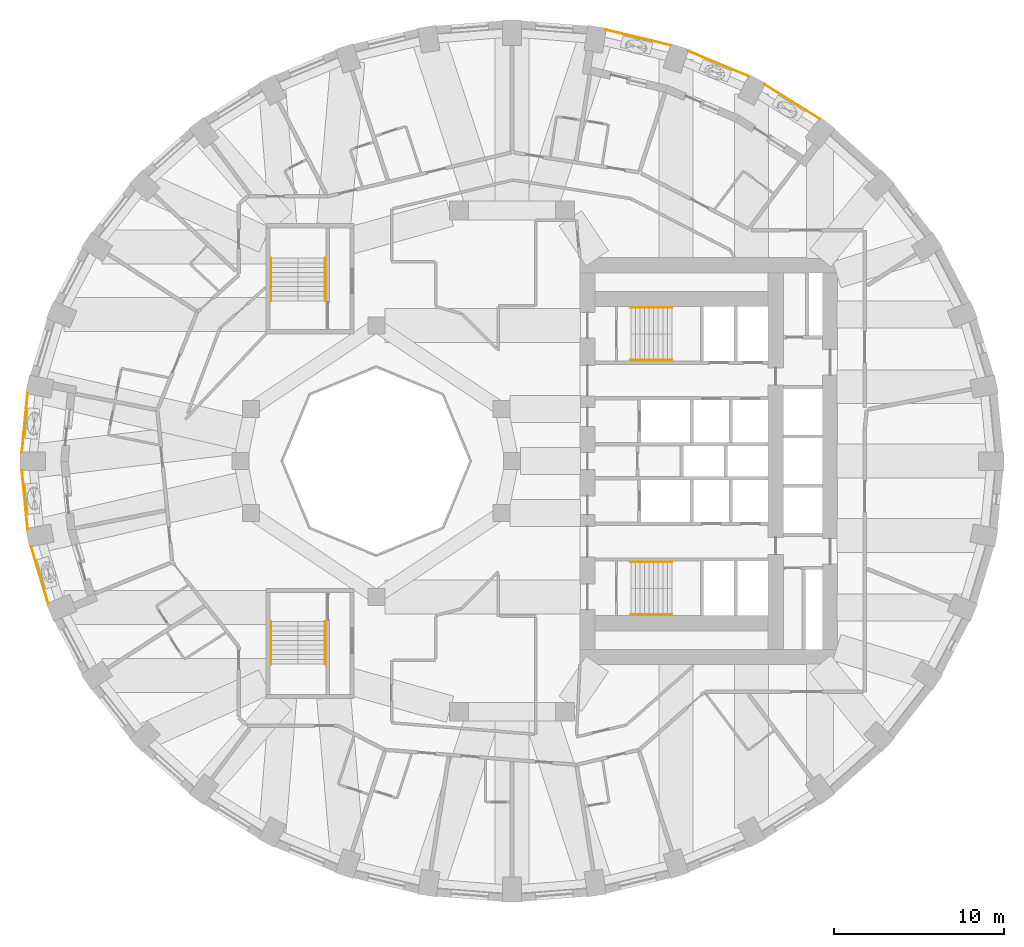
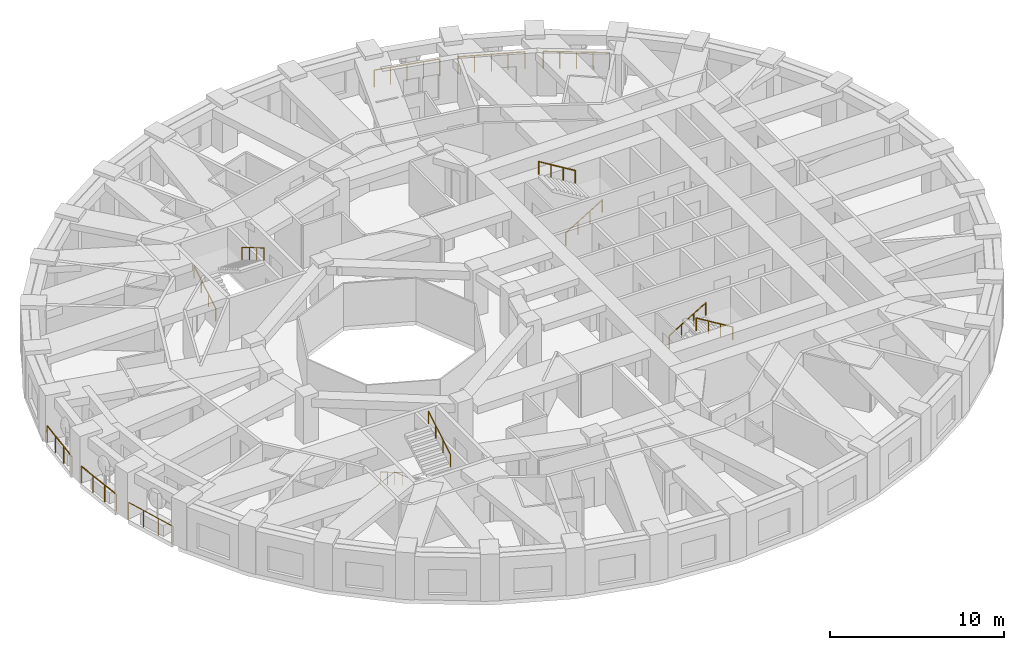
# One storey, part 11 of 13: 14 railings.
"""IFC4 building model written with IfcOpenShell, lengths in metres."""

from ifc_helpers import new_model, si_unit, direction, frame, origin, origin_2d, place, context, subcontext, project, spatial, circle, extrude, material, type_object, element, save


model = new_model("IFC4")

# Units and contexts
model_context = context("Model", 3, precision=1e-05, world=origin(), true_north=direction((0.0, 1.0)))
body_context = subcontext(model_context, "Body", "Model", "MODEL_VIEW")
ifc_project = project(units=[si_unit("LENGTHUNIT", "METRE"), si_unit("AREAUNIT", "SQUARE_METRE"), si_unit("VOLUMEUNIT", "CUBIC_METRE"), si_unit("PLANEANGLEUNIT", "RADIAN"), si_unit("MASSUNIT", "GRAM", prefix="KILO")], contexts=[model_context])

# Site, building, storey
site_placement = place(None, origin())
site = spatial("IfcSite", under=ifc_project, at=site_placement, CompositionType="ELEMENT")
building_placement = place(site_placement, origin())
building = spatial("IfcBuilding", under=site, at=building_placement, Name="Taillehof Tower", CompositionType="ELEMENT")
storey_placement = place(building_placement, frame((0.0, 0.0, 64.60009765625)))
storey = spatial("IfcBuildingStorey", under=building, at=storey_placement, Name="L17", CompositionType="ELEMENT", Elevation=64.60009765625)

# Railings
ifc_material_1 = material(Name="Stainless steel balustrade", Category="steel")
railing_type_1 = type_object("IfcRailingType", Name="Balcony guard 1200", PredefinedType="GUARDRAIL", material=ifc_material_1)
railing_1_placement = place(storey_placement, frame((-28.549560546875, 3.987548828125, 0.0)))
element("IfcRailing", 1, at=railing_1_placement, inside=storey, type_object=railing_type_1, Name="Balcony guard L17 bay 18", PredefinedType="GUARDRAIL", context=body_context, shape_type="SweptSolid", body=[
    extrude(circle(Radius=0.02392578125, at=origin_2d()), frame((0.0, 0.0, 1.17578125), z_axis=(-0.097402182783, -0.995245102871, 0.0), x_axis=(0.995245102871, -0.097402182783, 0.0)), (0.0, 0.0, 1.0), 3.47412109375),
    extrude(circle(Radius=0.02099609375, at=origin_2d()), origin(), (0.0, 0.0, 1.0), 1.15185546875),
    extrude(circle(Radius=0.02099609375, at=origin_2d()), frame((-0.11279296875, -1.152587890625, 0.0)), (0.0, 0.0, 1.0), 1.15185546875),
    extrude(circle(Radius=0.02099609375, at=origin_2d()), frame((-0.2255859375, -2.304931640625, 0.0)), (0.0, 0.0, 1.0), 1.15185546875),
    extrude(circle(Radius=0.02099609375, at=origin_2d()), frame((-0.33837890625, -3.45751953125, 0.0)), (0.0, 0.0, 1.0), 1.15185546875),
])
railing_2_placement = place(storey_placement, frame((-28.887939453125, -0.530029296875, 0.0)))
element("IfcRailing", 2, at=railing_2_placement, inside=storey, type_object=railing_type_1, Name="Balcony guard L17 bay 19", PredefinedType="GUARDRAIL", context=body_context, shape_type="SweptSolid", body=[
    extrude(circle(Radius=0.02392578125, at=origin_2d()), frame((0.0, 0.0, 1.17578125), z_axis=(0.097402182783, -0.995245102871, 0.0), x_axis=(0.995245102871, 0.097402182783, 0.0)), (0.0, 0.0, 1.0), 3.47412109375),
    extrude(circle(Radius=0.02099609375, at=origin_2d()), origin(), (0.0, 0.0, 1.0), 1.15185546875),
    extrude(circle(Radius=0.02099609375, at=origin_2d()), frame((0.11279296875, -1.152587890625, 0.0)), (0.0, 0.0, 1.0), 1.15185546875),
    extrude(circle(Radius=0.02099609375, at=origin_2d()), frame((0.2255859375, -2.304931640625, 0.0)), (0.0, 0.0, 1.0), 1.15185546875),
    extrude(circle(Radius=0.02099609375, at=origin_2d()), frame((0.33837890625, -3.45751953125, 0.0)), (0.0, 0.0, 1.0), 1.15185546875),
])
railing_3_placement = place(storey_placement, frame((-28.3447265625, -5.02783203125, 0.0)))
element("IfcRailing", 3, at=railing_3_placement, inside=storey, type_object=railing_type_1, Name="Balcony guard L17 bay 20", PredefinedType="GUARDRAIL", context=body_context, shape_type="SweptSolid", body=[
    extrude(circle(Radius=0.02392578125, at=origin_2d()), frame((0.0, 0.0, 1.17578125), z_axis=(0.287098668231, -0.957901015085, 0.0), x_axis=(0.957901015085, 0.287098668231, 0.0)), (0.0, 0.0, 1.0), 3.505126953125),
    extrude(circle(Radius=0.02099609375, at=origin_2d()), origin(), (0.0, 0.0, 1.0), 1.15185546875),
    extrude(circle(Radius=0.02099609375, at=origin_2d()), frame((0.33544921875, -1.119140625, 0.0)), (0.0, 0.0, 1.0), 1.15185546875),
    extrude(circle(Radius=0.02099609375, at=origin_2d()), frame((0.6708984375, -2.238525390625, 0.0)), (0.0, 0.0, 1.0), 1.15185546875),
    extrude(circle(Radius=0.02099609375, at=origin_2d()), frame((1.00634765625, -3.357666015625, 0.0)), (0.0, 0.0, 1.0), 1.15185546875),
])
railing_4_placement = place(storey_placement, frame((18.12255859375, 20.176025390625, 0.0)))
element("IfcRailing", 4, at=railing_4_placement, inside=storey, type_object=railing_type_1, Name="Balcony guard L17 bay 6", PredefinedType="GUARDRAIL", context=body_context, shape_type="SweptSolid", body=[
    extrude(circle(Radius=0.02392578125, at=origin_2d()), frame((0.0, 0.0, 1.17578125), z_axis=(-0.847656150947, 0.530545992127, 0.0), x_axis=(-0.530545992127, -0.847656150947, 0.0)), (0.0, 0.0, 1.0), 3.810302734375),
    extrude(circle(Radius=0.02099609375, at=origin_2d()), origin(), (0.0, 0.0, 1.0), 1.15185546875),
    extrude(circle(Radius=0.02099609375, at=origin_2d()), frame((-0.807373046875, 0.50537109375, 0.0)), (0.0, 0.0, 1.0), 1.15185546875),
    extrude(circle(Radius=0.02099609375, at=origin_2d()), frame((-1.61474609375, 1.0107421875, 0.0)), (0.0, 0.0, 1.0), 1.15185546875),
    extrude(circle(Radius=0.02099609375, at=origin_2d()), frame((-2.42236328125, 1.51611328125, 0.0)), (0.0, 0.0, 1.0), 1.15185546875),
    extrude(circle(Radius=0.02099609375, at=origin_2d()), frame((-3.229736328125, 2.021484375, 0.0)), (0.0, 0.0, 1.0), 1.15185546875),
])
railing_5_placement = place(storey_placement, frame((13.951171875, 22.684326171875, 0.0)))
element("IfcRailing", 5, at=railing_5_placement, inside=storey, type_object=railing_type_1, Name="Balcony guard L17 bay 7", PredefinedType="GUARDRAIL", context=body_context, shape_type="SweptSolid", body=[
    extrude(circle(Radius=0.02392578125, at=origin_2d()), frame((0.0, 0.0, 1.17578125), z_axis=(-0.923011806559, 0.384771627011, 0.0), x_axis=(-0.384771627011, -0.923011806559, 0.0)), (0.0, 0.0, 1.0), 3.88330078125),
    extrude(circle(Radius=0.02099609375, at=origin_2d()), origin(), (0.0, 0.0, 1.0), 1.15185546875),
    extrude(circle(Radius=0.02099609375, at=origin_2d()), frame((-0.89599609375, 0.37353515625, 0.0)), (0.0, 0.0, 1.0), 1.15185546875),
    extrude(circle(Radius=0.02099609375, at=origin_2d()), frame((-1.7919921875, 0.7470703125, 0.0)), (0.0, 0.0, 1.0), 1.15185546875),
    extrude(circle(Radius=0.02099609375, at=origin_2d()), frame((-2.688232421875, 1.12060546875, 0.0)), (0.0, 0.0, 1.0), 1.15185546875),
    extrude(circle(Radius=0.02099609375, at=origin_2d()), frame((-3.584228515625, 1.494140625, 0.0)), (0.0, 0.0, 1.0), 1.15185546875),
])
railing_6_placement = place(storey_placement, frame((9.35888671875, 24.5068359375, 0.0)))
element("IfcRailing", 6, at=railing_6_placement, inside=storey, type_object=railing_type_1, Name="Balcony guard L17 bay 8", PredefinedType="GUARDRAIL", context=body_context, shape_type="SweptSolid", body=[
    extrude(circle(Radius=0.02392578125, at=origin_2d()), frame((0.0, 0.0, 1.17578125), z_axis=(-0.972495275648, 0.232922602687, 0.0), x_axis=(-0.232922602687, -0.972495275648, 0.0)), (0.0, 0.0, 1.0), 3.93701171875),
    extrude(circle(Radius=0.02099609375, at=origin_2d()), origin(), (0.0, 0.0, 1.0), 1.15185546875),
    extrude(circle(Radius=0.02099609375, at=origin_2d()), frame((-0.95703125, 0.229248046875, 0.0)), (0.0, 0.0, 1.0), 1.15185546875),
    extrude(circle(Radius=0.02099609375, at=origin_2d()), frame((-1.914306640625, 0.45849609375, 0.0)), (0.0, 0.0, 1.0), 1.15185546875),
    extrude(circle(Radius=0.02099609375, at=origin_2d()), frame((-2.87158203125, 0.687744140625, 0.0)), (0.0, 0.0, 1.0), 1.15185546875),
    extrude(circle(Radius=0.02099609375, at=origin_2d()), frame((-3.82861328125, 0.9169921875, 0.0)), (0.0, 0.0, 1.0), 1.15185546875),
])
ifc_material_2 = material(Name="Stainless steel", Category="steel")
railing_type_2 = type_object("IfcRailingType", Name="Stair handrail 900", PredefinedType="HANDRAIL", material=ifc_material_2)
railing_7_placement = place(storey_placement, frame((7.0, 5.949951171875, 0.164794921875)))
element("IfcRailing", 7, at=railing_7_placement, inside=storey, type_object=railing_type_2, Name="Stair S1 handrail", PredefinedType="HANDRAIL", context=body_context, shape_type="SweptSolid", body=[
    extrude(circle(Radius=0.02392578125, at=origin_2d()), frame((0.0, 0.0, 0.8759765625), z_axis=(0.853258522278, 0.0, 0.521488153423), x_axis=(0.0, 1.0, 0.0)), (0.0, 0.0, 1.0), 2.847900390625),
    extrude(circle(Radius=0.02099609375, at=origin_2d()), origin(), (0.0, 0.0, 1.0), 0.851806640625),
    extrude(circle(Radius=0.02099609375, at=origin_2d()), frame((0.81005859375, 0.0, 0.4951171875)), (0.0, 0.0, 1.0), 0.851806640625),
    extrude(circle(Radius=0.02099609375, at=origin_2d()), frame((1.619873046875, 0.0, 0.989990234375)), (0.0, 0.0, 1.0), 0.851806640625),
    extrude(circle(Radius=0.02099609375, at=origin_2d()), frame((2.429931640625, 0.0, 1.485107421875)), (0.0, 0.0, 1.0), 0.851806640625),
])
railing_8_placement = place(storey_placement, frame((9.429931640625, 9.050048828125, 1.81494140625)))
element("IfcRailing", 8, at=railing_8_placement, inside=storey, type_object=railing_type_2, Name="Stair S1 handrail", PredefinedType="HANDRAIL", context=body_context, shape_type="SweptSolid", body=[
    extrude(circle(Radius=0.02392578125, at=origin_2d()), frame((0.0, 0.0, 0.8759765625), z_axis=(-0.853296667938, 0.0, 0.521425734392), x_axis=(0.0, -1.0, 0.0)), (0.0, 0.0, 1.0), 2.84765625),
    extrude(circle(Radius=0.02099609375, at=origin_2d()), origin(), (0.0, 0.0, 1.0), 0.851806640625),
    extrude(circle(Radius=0.02099609375, at=origin_2d()), frame((-0.81005859375, 0.0, 0.494873046875)), (0.0, 0.0, 1.0), 0.851806640625),
    extrude(circle(Radius=0.02099609375, at=origin_2d()), frame((-1.619873046875, 0.0, 0.989990234375)), (0.0, 0.0, 1.0), 0.851806640625),
    extrude(circle(Radius=0.02099609375, at=origin_2d()), frame((-2.429931640625, 0.0, 1.48486328125)), (0.0, 0.0, 1.0), 0.851806640625),
])
railing_9_placement = place(storey_placement, frame((7.0, -5.949951171875, 0.164794921875)))
element("IfcRailing", 9, at=railing_9_placement, inside=storey, type_object=railing_type_2, Name="Stair S2 handrail", PredefinedType="HANDRAIL", context=body_context, shape_type="SweptSolid", body=[
    extrude(circle(Radius=0.02392578125, at=origin_2d()), frame((0.0, 0.0, 0.8759765625), z_axis=(0.853258522278, 0.0, 0.521488153423), x_axis=(0.0, 1.0, 0.0)), (0.0, 0.0, 1.0), 2.847900390625),
    extrude(circle(Radius=0.02099609375, at=origin_2d()), origin(), (0.0, 0.0, 1.0), 0.851806640625),
    extrude(circle(Radius=0.02099609375, at=origin_2d()), frame((0.81005859375, 0.0, 0.4951171875)), (0.0, 0.0, 1.0), 0.851806640625),
    extrude(circle(Radius=0.02099609375, at=origin_2d()), frame((1.619873046875, 0.0, 0.989990234375)), (0.0, 0.0, 1.0), 0.851806640625),
    extrude(circle(Radius=0.02099609375, at=origin_2d()), frame((2.429931640625, 0.0, 1.485107421875)), (0.0, 0.0, 1.0), 0.851806640625),
])
railing_10_placement = place(storey_placement, frame((9.429931640625, -9.050048828125, 1.81494140625)))
element("IfcRailing", 10, at=railing_10_placement, inside=storey, type_object=railing_type_2, Name="Stair S2 handrail", PredefinedType="HANDRAIL", context=body_context, shape_type="SweptSolid", body=[
    extrude(circle(Radius=0.02392578125, at=origin_2d()), frame((0.0, 0.0, 0.8759765625), z_axis=(-0.853296667938, 0.0, 0.521425734392), x_axis=(0.0, -1.0, 0.0)), (0.0, 0.0, 1.0), 2.84765625),
    extrude(circle(Radius=0.02099609375, at=origin_2d()), origin(), (0.0, 0.0, 1.0), 0.851806640625),
    extrude(circle(Radius=0.02099609375, at=origin_2d()), frame((-0.81005859375, 0.0, 0.494873046875)), (0.0, 0.0, 1.0), 0.851806640625),
    extrude(circle(Radius=0.02099609375, at=origin_2d()), frame((-1.619873046875, 0.0, 0.989990234375)), (0.0, 0.0, 1.0), 0.851806640625),
    extrude(circle(Radius=0.02099609375, at=origin_2d()), frame((-2.429931640625, 0.0, 1.48486328125)), (0.0, 0.0, 1.0), 0.851806640625),
])
railing_11_placement = place(storey_placement, frame((-14.199951171875, 9.449951171875, 0.164794921875)))
element("IfcRailing", 11, at=railing_11_placement, inside=storey, type_object=railing_type_2, Name="Stair S3 handrail", PredefinedType="HANDRAIL", context=body_context, shape_type="SweptSolid", body=[
    extrude(circle(Radius=0.02392578125, at=origin_2d()), frame((0.0, 0.0, 0.8759765625), z_axis=(0.0, 0.86152411907, 0.507716645641), x_axis=(-1.0, 0.0, 0.0)), (0.0, 0.0, 1.0), 2.925048828125),
    extrude(circle(Radius=0.02099609375, at=origin_2d()), origin(), (0.0, 0.0, 1.0), 0.851806640625),
    extrude(circle(Radius=0.02099609375, at=origin_2d()), frame((0.0, 0.840087890625, 0.4951171875)), (0.0, 0.0, 1.0), 0.851806640625),
    extrude(circle(Radius=0.02099609375, at=origin_2d()), frame((0.0, 1.679931640625, 0.989990234375)), (0.0, 0.0, 1.0), 0.851806640625),
    extrude(circle(Radius=0.02099609375, at=origin_2d()), frame((0.0, 2.52001953125, 1.485107421875)), (0.0, 0.0, 1.0), 0.851806640625),
])
railing_12_placement = place(storey_placement, frame((-11.0, 11.969970703125, 1.81494140625)))
element("IfcRailing", 12, at=railing_12_placement, inside=storey, type_object=railing_type_2, Name="Stair S3 handrail", PredefinedType="HANDRAIL", context=body_context, shape_type="SweptSolid", body=[
    extrude(circle(Radius=0.02392578125, at=origin_2d()), frame((0.0, 0.0, 0.8759765625), z_axis=(0.0, -0.861560626758, 0.507654692109), x_axis=(1.0, 0.0, 0.0)), (0.0, 0.0, 1.0), 2.925048828125),
    extrude(circle(Radius=0.02099609375, at=origin_2d()), origin(), (0.0, 0.0, 1.0), 0.851806640625),
    extrude(circle(Radius=0.02099609375, at=origin_2d()), frame((0.0, -0.840087890625, 0.494873046875)), (0.0, 0.0, 1.0), 0.851806640625),
    extrude(circle(Radius=0.02099609375, at=origin_2d()), frame((0.0, -1.679931640625, 0.989990234375)), (0.0, 0.0, 1.0), 0.851806640625),
    extrude(circle(Radius=0.02099609375, at=origin_2d()), frame((0.0, -2.52001953125, 1.48486328125)), (0.0, 0.0, 1.0), 0.851806640625),
])
railing_13_placement = place(storey_placement, frame((-14.199951171875, -9.449951171875, 0.164794921875)))
element("IfcRailing", 13, at=railing_13_placement, inside=storey, type_object=railing_type_2, Name="Stair S4 handrail", PredefinedType="HANDRAIL", context=body_context, shape_type="SweptSolid", body=[
    extrude(circle(Radius=0.02392578125, at=origin_2d()), frame((0.0, 0.0, 0.8759765625), z_axis=(0.0, -0.86152411907, 0.507716645641), x_axis=(1.0, 0.0, 0.0)), (0.0, 0.0, 1.0), 2.925048828125),
    extrude(circle(Radius=0.02099609375, at=origin_2d()), origin(), (0.0, 0.0, 1.0), 0.851806640625),
    extrude(circle(Radius=0.02099609375, at=origin_2d()), frame((0.0, -0.840087890625, 0.4951171875)), (0.0, 0.0, 1.0), 0.851806640625),
    extrude(circle(Radius=0.02099609375, at=origin_2d()), frame((0.0, -1.679931640625, 0.989990234375)), (0.0, 0.0, 1.0), 0.851806640625),
    extrude(circle(Radius=0.02099609375, at=origin_2d()), frame((0.0, -2.52001953125, 1.485107421875)), (0.0, 0.0, 1.0), 0.851806640625),
])
railing_14_placement = place(storey_placement, frame((-11.0, -11.969970703125, 1.81494140625)))
element("IfcRailing", 14, at=railing_14_placement, inside=storey, type_object=railing_type_2, Name="Stair S4 handrail", PredefinedType="HANDRAIL", context=body_context, shape_type="SweptSolid", body=[
    extrude(circle(Radius=0.02392578125, at=origin_2d()), frame((0.0, 0.0, 0.8759765625), z_axis=(0.0, 0.861560626758, 0.507654692109), x_axis=(-1.0, 0.0, 0.0)), (0.0, 0.0, 1.0), 2.925048828125),
    extrude(circle(Radius=0.02099609375, at=origin_2d()), origin(), (0.0, 0.0, 1.0), 0.851806640625),
    extrude(circle(Radius=0.02099609375, at=origin_2d()), frame((0.0, 0.840087890625, 0.494873046875)), (0.0, 0.0, 1.0), 0.851806640625),
    extrude(circle(Radius=0.02099609375, at=origin_2d()), frame((0.0, 1.679931640625, 0.989990234375)), (0.0, 0.0, 1.0), 0.851806640625),
    extrude(circle(Radius=0.02099609375, at=origin_2d()), frame((0.0, 2.52001953125, 1.48486328125)), (0.0, 0.0, 1.0), 0.851806640625),
])

save(model, "model.ifc")
